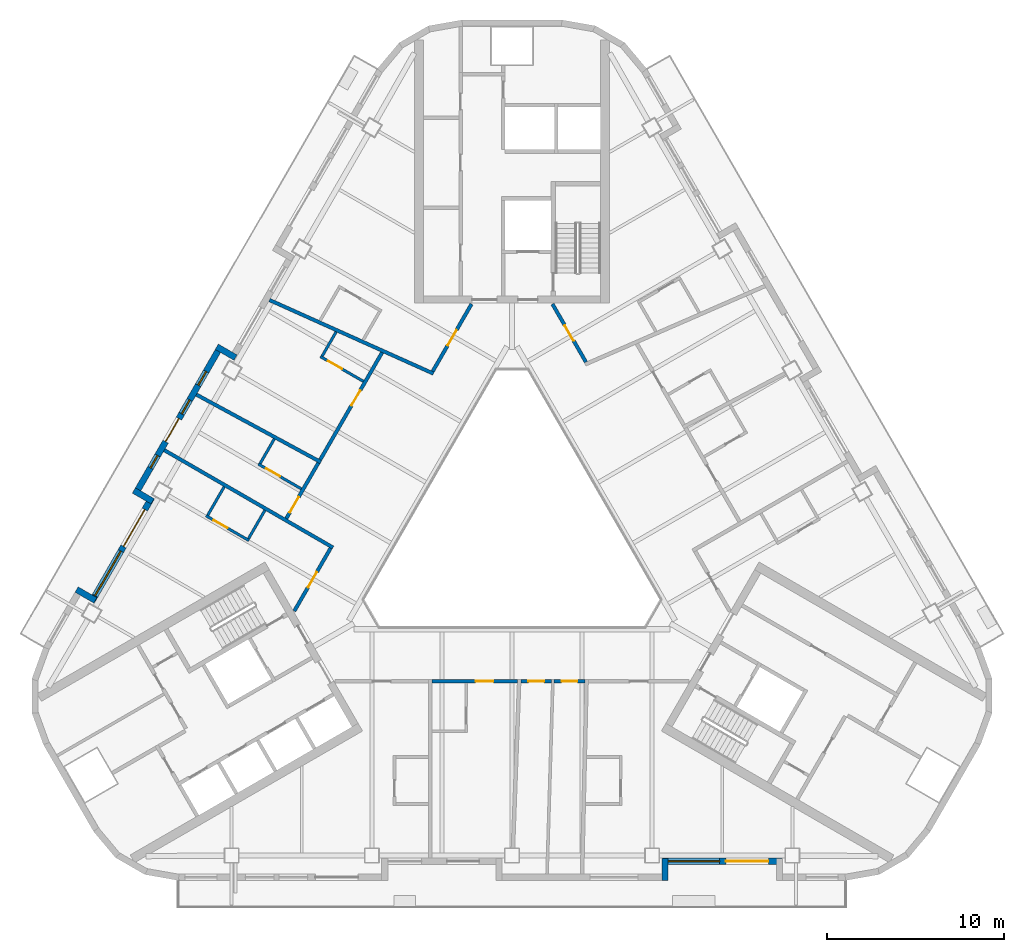
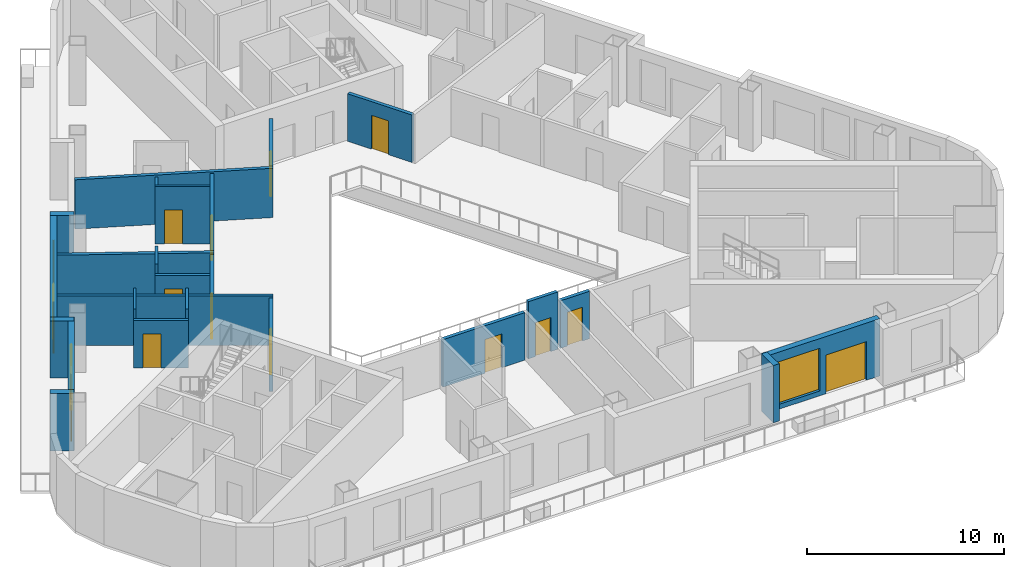
# One storey, part 4 of 14: 25 walls, 14 doors, 5 windows, 19 openings.
"""IFC4 building model written with IfcOpenShell, lengths in metres."""

from ifc_helpers import new_model, si_unit, direction, frame, frame_2d, origin, place, context, subcontext, project, spatial, rectangle, extrude, material, layer, layer_set, type_object, element, fill, save


model = new_model("IFC4")

# Units and contexts
model_context = context("Model", 3, precision=1e-05, world=origin(), true_north=direction((0.0, 1.0)))
body_context = subcontext(model_context, "Body", "Model", "MODEL_VIEW")
ifc_project = project(units=[si_unit("LENGTHUNIT", "METRE"), si_unit("AREAUNIT", "SQUARE_METRE"), si_unit("VOLUMEUNIT", "CUBIC_METRE"), si_unit("PLANEANGLEUNIT", "RADIAN"), si_unit("MASSUNIT", "GRAM", prefix="KILO")], contexts=[model_context])

# Site, building, storey
site_placement = place(None, origin())
site = spatial("IfcSite", under=ifc_project, at=site_placement, CompositionType="ELEMENT")
building_placement = place(site_placement, origin())
building = spatial("IfcBuilding", under=site, at=building_placement, Name="Apuvela Tower Hotel", CompositionType="ELEMENT")
storey_placement = place(building_placement, frame((0.0, 0.0, 157.699951171875)))
storey = spatial("IfcBuildingStorey", under=building, at=storey_placement, Name="L37", CompositionType="ELEMENT", Elevation=157.699951171875)

# Wall
ifc_material_1 = material(Name="Concrete C40/50, dark pigmented precast panel", Category="concrete")
ifc_layer_1 = layer(ifc_material_1, 0.35009765625)
ifc_layer_set_1 = layer_set([ifc_layer_1], Name="ENV-WALL-350")
wall_type_1 = type_object("IfcWallType", Name="ENV-WALL-350", PredefinedType="SOLIDWALL", material=ifc_layer_set_1)
wall_1_placement = place(storey_placement, frame((-15.580810546875, 9.8330078125, 0.0), z_axis=(0.0, 0.0, 1.0), x_axis=(-0.866055662726, 0.499947586314, 0.0)))
element("IfcWall", 1, at=wall_1_placement, inside=storey, type_object=wall_type_1, Name="External wall L37-04", PredefinedType="SOLIDWALL", context=body_context, shape_type="SweptSolid", body=[
    extrude(rectangle(XDim=1.220458984375, YDim=0.35009765625, at=frame_2d((0.6103515625, 0.0))), origin(), (0.0, 0.0, 1.0), 3.550048828125),
])

# Wall, openings, door, windows
wall_2_placement = place(storey_placement, frame((-16.3984375, 10.507080078125, 0.0), z_axis=(0.0, 0.0, 1.0), x_axis=(-0.499999142773, -0.866025898704, 0.0)))
wall_2 = element("IfcWall", 2, at=wall_2_placement, inside=storey, type_object=wall_type_1, Name="External wall L37-05", PredefinedType="SOLIDWALL", context=body_context, shape_type="SweptSolid", body=[
    extrude(rectangle(XDim=9.7001953125, YDim=0.35009765625, at=frame_2d((4.85009765625, 0.0))), origin(), (0.0, 0.0, 1.0), 3.550048828125),
])
opening_1_placement = place(wall_2_placement, frame((1.67529296875, 0.0, 0.300048828125)))
opening_1 = element("IfcOpeningElement", 3, at=opening_1_placement, cuts=wall_2, Name="Opening WN09", PredefinedType="OPENING", context=body_context, shape_type="SweptSolid", body=[
    extrude(rectangle(XDim=0.89990234375, YDim=2.64990234375, at=frame_2d((0.449951171875, 1.324951171875))), frame((0.0, 0.18505859375, 0.0), z_axis=(0.0, -1.0, 0.0), x_axis=(1.0, 0.0, 0.0)), (0.0, 0.0, 1.0), 0.3701171875),
])
opening_2_placement = place(wall_2_placement, frame((4.749755859375, 0.0, 0.0)))
opening_2 = element("IfcOpeningElement", 4, at=opening_2_placement, cuts=wall_2, Name="Opening BD15", PredefinedType="OPENING", context=body_context, shape_type="SweptSolid", body=[
    extrude(rectangle(XDim=1.5, YDim=2.39990234375, at=frame_2d((0.75, 1.199951171875))), frame((0.0, 0.18505859375, 0.0), z_axis=(0.0, -1.0, 0.0), x_axis=(1.0, 0.0, 0.0)), (0.0, 0.0, 1.0), 0.3701171875),
])
opening_3_placement = place(wall_2_placement, frame((3.53466796875, 0.0, 0.300048828125)))
opening_3 = element("IfcOpeningElement", 5, at=opening_3_placement, cuts=wall_2, Name="Opening WN09", PredefinedType="OPENING", context=body_context, shape_type="SweptSolid", body=[
    extrude(rectangle(XDim=0.89990234375, YDim=2.64990234375, at=frame_2d((0.449951171875, 1.324951171875))), frame((0.0, 0.18505859375, 0.0), z_axis=(0.0, -1.0, 0.0), x_axis=(1.0, 0.0, 0.0)), (0.0, 0.0, 1.0), 0.3701171875),
])
opening_4_placement = place(wall_2_placement, frame((7.14990234375, 0.0, 0.300048828125)))
opening_4 = element("IfcOpeningElement", 6, at=opening_4_placement, cuts=wall_2, Name="Opening WN08", PredefinedType="OPENING", context=body_context, shape_type="SweptSolid", body=[
    extrude(rectangle(XDim=0.800048828125, YDim=2.64990234375, at=frame_2d((0.39990234375, 1.324951171875))), frame((0.0, 0.18505859375, 0.0), z_axis=(0.0, -1.0, 0.0), x_axis=(1.0, 0.0, 0.0)), (0.0, 0.0, 1.0), 0.3701171875),
])
ifc_material_2 = material(Name="Aluminium 6063-T6, dark bronze anodised frame with dark tinted laminated glass", Category="aluminium")
door_type_1 = type_object("IfcDoorType", Name="ENV-DOOR-BALCONY-1500x2400", OperationType="SLIDING_TO_LEFT", PredefinedType="DOOR", material=ifc_material_2)
door_1_placement = place(opening_2_placement, frame((1.5, 0.0, 0.0), z_axis=(0.0, 0.0, 1.0), x_axis=(-1.0, 0.0, 0.0)))
door_1 = element("IfcDoor", 7, at=door_1_placement, inside=storey, type_object=door_type_1, Name="Balcony door BD15", OperationType="SLIDING_TO_LEFT", OverallHeight=2.39990234375, OverallWidth=1.5, PredefinedType="DOOR", context=body_context, shape_type="SweptSolid", body=[
    extrude(rectangle(XDim=1.5, YDim=2.39990234375, at=frame_2d((0.75, 1.199951171875))), frame((0.0, 0.02490234375, 0.0), z_axis=(0.0, -1.0, 0.0), x_axis=(1.0, 0.0, 0.0)), (0.0, 0.0, 1.0), 0.050048828125),
])
fill(opening_2, door_1)
ifc_material_3 = material(Name="Glass, dark tinted laminated insulated glazing unit", Category="glass")
window_type_1 = type_object("IfcWindowType", Name="ENV-WIN-800x2650", PartitioningType="SINGLE_PANEL", PredefinedType="WINDOW", material=ifc_material_3)
window_1_placement = place(opening_4_placement, origin())
window_1 = element("IfcWindow", 8, at=window_1_placement, inside=storey, type_object=window_type_1, Name="Window WN08", OverallHeight=2.64990234375, OverallWidth=0.800048828125, PartitioningType="SINGLE_PANEL", PredefinedType="WINDOW", context=body_context, shape_type="SweptSolid", body=[
    extrude(rectangle(XDim=0.800048828125, YDim=2.64990234375, at=frame_2d((0.39990234375, 1.324951171875))), frame((0.0, 0.030029296875, 0.0), z_axis=(0.0, -1.0, 0.0), x_axis=(1.0, 0.0, 0.0)), (0.0, 0.0, 1.0), 0.06005859375),
])
fill(opening_4, window_1)
window_type_2 = type_object("IfcWindowType", Name="ENV-WIN-900x2650", PartitioningType="SINGLE_PANEL", PredefinedType="WINDOW", material=ifc_material_3)
window_2_placement = place(opening_1_placement, origin())
window_2 = element("IfcWindow", 9, at=window_2_placement, inside=storey, type_object=window_type_2, Name="Window WN09", OverallHeight=2.64990234375, OverallWidth=0.89990234375, PartitioningType="SINGLE_PANEL", PredefinedType="WINDOW", context=body_context, shape_type="SweptSolid", body=[
    extrude(rectangle(XDim=0.89990234375, YDim=2.64990234375, at=frame_2d((0.449951171875, 1.324951171875))), frame((0.0, 0.030029296875, 0.0), z_axis=(0.0, -1.0, 0.0), x_axis=(1.0, 0.0, 0.0)), (0.0, 0.0, 1.0), 0.06005859375),
])
fill(opening_1, window_2)
window_3_placement = place(opening_3_placement, origin())
window_3 = element("IfcWindow", 10, at=window_3_placement, inside=storey, type_object=window_type_2, Name="Window WN09", OverallHeight=2.64990234375, OverallWidth=0.89990234375, PartitioningType="SINGLE_PANEL", PredefinedType="WINDOW", context=body_context, shape_type="SweptSolid", body=[
    extrude(rectangle(XDim=0.89990234375, YDim=2.64990234375, at=frame_2d((0.449951171875, 1.324951171875))), frame((0.0, 0.030029296875, 0.0), z_axis=(0.0, -1.0, 0.0), x_axis=(1.0, 0.0, 0.0)), (0.0, 0.0, 1.0), 0.06005859375),
])
fill(opening_3, window_3)

# Wall
wall_3_placement = place(storey_placement, frame((-21.3125, 2.345703125, 0.0), z_axis=(0.0, 0.0, 1.0), x_axis=(0.866005645448, -0.500034220881, 0.0)))
element("IfcWall", 11, at=wall_3_placement, inside=storey, type_object=wall_type_1, Name="External wall L37-06", PredefinedType="SOLIDWALL", context=body_context, shape_type="SweptSolid", body=[
    extrude(rectangle(XDim=1.22021484375, YDim=0.35009765625, at=frame_2d((0.610107421875, 0.0))), origin(), (0.0, 0.0, 1.0), 3.550048828125),
])

# Wall, openings, door, window
wall_4_placement = place(storey_placement, frame((-20.30908203125, 1.93359375, 0.0), z_axis=(0.0, 0.0, 1.0), x_axis=(-0.499992114976, -0.866029956157, 0.0)))
wall_4 = element("IfcWall", 12, at=wall_4_placement, inside=storey, type_object=wall_type_1, Name="External wall L37-07", PredefinedType="SOLIDWALL", context=body_context, shape_type="SweptSolid", body=[
    extrude(rectangle(XDim=6.73974609375, YDim=0.35009765625, at=frame_2d((3.369873046875, 0.0))), origin(), (0.0, 0.0, 1.0), 3.550048828125),
])
opening_5_placement = place(wall_4_placement, frame((0.77001953125, 0.0, 0.0)))
opening_5 = element("IfcOpeningElement", 13, at=opening_5_placement, cuts=wall_4, Name="Opening BD24", PredefinedType="OPENING", context=body_context, shape_type="SweptSolid", body=[
    extrude(rectangle(XDim=2.39990234375, YDim=2.39990234375, at=frame_2d((1.199951171875, 1.199951171875))), frame((0.0, 0.18505859375, 0.0), z_axis=(0.0, -1.0, 0.0), x_axis=(1.0, 0.0, 0.0)), (0.0, 0.0, 1.0), 0.3701171875),
])
opening_6_placement = place(wall_4_placement, frame((3.47021484375, 0.0, 0.300048828125)))
opening_6 = element("IfcOpeningElement", 14, at=opening_6_placement, cuts=wall_4, Name="Opening WN29", PredefinedType="OPENING", context=body_context, shape_type="SweptSolid", body=[
    extrude(rectangle(XDim=2.89990234375, YDim=2.64990234375, at=frame_2d((1.449951171875, 1.324951171875))), frame((0.0, 0.18505859375, 0.0), z_axis=(0.0, -1.0, 0.0), x_axis=(1.0, 0.0, 0.0)), (0.0, 0.0, 1.0), 0.3701171875),
])
door_type_2 = type_object("IfcDoorType", Name="ENV-DOOR-BALCONY-2400x2400", OperationType="SLIDING_TO_LEFT", PredefinedType="DOOR", material=ifc_material_2)
door_2_placement = place(opening_5_placement, frame((2.39990234375, 0.0, 0.0), z_axis=(0.0, 0.0, 1.0), x_axis=(-1.0, 0.0, 0.0)))
door_2 = element("IfcDoor", 15, at=door_2_placement, inside=storey, type_object=door_type_2, Name="Balcony door BD24", OperationType="SLIDING_TO_LEFT", OverallHeight=2.39990234375, OverallWidth=2.39990234375, PredefinedType="DOOR", context=body_context, shape_type="SweptSolid", body=[
    extrude(rectangle(XDim=2.39990234375, YDim=2.39990234375, at=frame_2d((1.199951171875, 1.199951171875))), frame((0.0, 0.02490234375, 0.0), z_axis=(0.0, -1.0, 0.0), x_axis=(1.0, 0.0, 0.0)), (0.0, 0.0, 1.0), 0.050048828125),
])
fill(opening_5, door_2)
window_type_3 = type_object("IfcWindowType", Name="ENV-WIN-2900x2650", PartitioningType="SINGLE_PANEL", PredefinedType="WINDOW", material=ifc_material_3)
window_4_placement = place(opening_6_placement, origin())
window_4 = element("IfcWindow", 16, at=window_4_placement, inside=storey, type_object=window_type_3, Name="Window WN29", OverallHeight=2.64990234375, OverallWidth=2.89990234375, PartitioningType="SINGLE_PANEL", PredefinedType="WINDOW", context=body_context, shape_type="SweptSolid", body=[
    extrude(rectangle(XDim=2.89990234375, YDim=2.64990234375, at=frame_2d((1.449951171875, 1.324951171875))), frame((0.0, 0.030029296875, 0.0), z_axis=(0.0, -1.0, 0.0), x_axis=(1.0, 0.0, 0.0)), (0.0, 0.0, 1.0), 0.06005859375),
])
fill(opening_6, window_4)

# Walls
for number, where, z_axis, x_axis, name in (
    (17, (-23.48095703125, -3.85009765625, 0.0), (0.0, 0.0, 1.0), (-0.866092288191, 0.499884134912, 0.0), "External wall L37-08"),
    (18, (8.625, -19.6298828125, 0.0), (0.0, 0.0, 1.0), (0.0, 1.0, 0.0), "External wall L37-22"),
):
    element("IfcWall", number, at=place(storey_placement, frame(where, z_axis=z_axis, x_axis=x_axis)), inside=storey, type_object=wall_type_1, Name=name, PredefinedType="SOLIDWALL", context=body_context, shape_type="SweptSolid", body=[
        extrude(rectangle(XDim=1.219970703125, YDim=0.35009765625, at=frame_2d((0.60986328125, 0.0))), origin(), (0.0, 0.0, 1.0), 3.550048828125),
    ])

# Wall, openings, door, window
wall_5_placement = place(storey_placement, frame((8.47998046875, -18.554931640625, 0.0), z_axis=(0.0, 0.0, 1.0), x_axis=(1.0, 0.0, 0.0)))
wall_5 = element("IfcWall", 19, at=wall_5_placement, inside=storey, type_object=wall_type_1, Name="External wall L37-23", PredefinedType="SOLIDWALL", context=body_context, shape_type="SweptSolid", body=[
    extrude(rectangle(XDim=6.739990234375, YDim=0.35009765625, at=frame_2d((3.3701171875, 0.0))), origin(), (0.0, 0.0, 1.0), 3.550048828125),
])
opening_7_placement = place(wall_5_placement, frame((3.570068359375, 0.0, 0.0)))
opening_7 = element("IfcOpeningElement", 20, at=opening_7_placement, cuts=wall_5, Name="Opening BD24", PredefinedType="OPENING", context=body_context, shape_type="SweptSolid", body=[
    extrude(rectangle(XDim=2.39990234375, YDim=2.39990234375, at=frame_2d((1.199951171875, 1.199951171875))), frame((0.0, 0.18505859375, 0.0), z_axis=(0.0, -1.0, 0.0), x_axis=(1.0, 0.0, 0.0)), (0.0, 0.0, 1.0), 0.3701171875),
])
opening_8_placement = place(wall_5_placement, frame((0.3203125, 0.0, 0.300048828125)))
opening_8 = element("IfcOpeningElement", 21, at=opening_8_placement, cuts=wall_5, Name="Opening WN29", PredefinedType="OPENING", context=body_context, shape_type="SweptSolid", body=[
    extrude(rectangle(XDim=2.89990234375, YDim=2.64990234375, at=frame_2d((1.449951171875, 1.324951171875))), frame((0.0, 0.18505859375, 0.0), z_axis=(0.0, -1.0, 0.0), x_axis=(1.0, 0.0, 0.0)), (0.0, 0.0, 1.0), 0.3701171875),
])
door_3_placement = place(opening_7_placement, frame((2.39990234375, 0.0, 0.0), z_axis=(0.0, 0.0, 1.0), x_axis=(-1.0, 0.0, 0.0)))
door_3 = element("IfcDoor", 22, at=door_3_placement, inside=storey, type_object=door_type_2, Name="Balcony door BD24", OperationType="SLIDING_TO_LEFT", OverallHeight=2.39990234375, OverallWidth=2.39990234375, PredefinedType="DOOR", context=body_context, shape_type="SweptSolid", body=[
    extrude(rectangle(XDim=2.39990234375, YDim=2.39990234375, at=frame_2d((1.199951171875, 1.199951171875))), frame((0.0, 0.02490234375, 0.0), z_axis=(0.0, -1.0, 0.0), x_axis=(1.0, 0.0, 0.0)), (0.0, 0.0, 1.0), 0.050048828125),
])
fill(opening_7, door_3)
window_5_placement = place(opening_8_placement, origin())
window_5 = element("IfcWindow", 23, at=window_5_placement, inside=storey, type_object=window_type_3, Name="Window WN29", OverallHeight=2.64990234375, OverallWidth=2.89990234375, PartitioningType="SINGLE_PANEL", PredefinedType="WINDOW", context=body_context, shape_type="SweptSolid", body=[
    extrude(rectangle(XDim=2.89990234375, YDim=2.64990234375, at=frame_2d((1.449951171875, 1.324951171875))), frame((0.0, 0.030029296875, 0.0), z_axis=(0.0, -1.0, 0.0), x_axis=(1.0, 0.0, 0.0)), (0.0, 0.0, 1.0), 0.06005859375),
])
fill(opening_8, window_5)

# Walls
ifc_material_4 = material(Name="Gypsum board partition on twin steel stud", Category="steel")
ifc_layer_2 = layer(ifc_material_4, 0.199951171875)
ifc_layer_set_2 = layer_set([ifc_layer_2], Name="GST-PW1")
wall_type_2 = type_object("IfcWallType", Name="GST-PW1", PredefinedType="PARTITIONING", material=ifc_layer_set_2)
wall_6_placement = place(storey_placement, frame((-13.671630859375, 13.080078125, 0.0), z_axis=(0.0, 0.0, 1.0), x_axis=(0.912311972773, -0.409495866077, 0.0)))
element("IfcWall", 24, at=wall_6_placement, inside=storey, type_object=wall_type_2, Name="L37 partition 07", PredefinedType="PARTITIONING", context=body_context, shape_type="SweptSolid", body=[
    extrude(rectangle(XDim=10.13232421875, YDim=0.199951171875, at=frame_2d((5.066162109375, 0.0))), origin(), (0.0, 0.0, 1.0), 3.06005859375),
])
wall_7_placement = place(storey_placement, frame((-17.78955078125, 7.747802734375, 0.0), z_axis=(0.0, 0.0, 1.0), x_axis=(0.878932558121, -0.476946074808, 0.0)))
element("IfcWall", 25, at=wall_7_placement, inside=storey, type_object=wall_type_2, Name="L37 partition 08", PredefinedType="PARTITIONING", context=body_context, shape_type="SweptSolid", body=[
    extrude(rectangle(XDim=7.98291015625, YDim=0.199951171875, at=frame_2d((3.991455078125, 0.0))), origin(), (0.0, 0.0, 1.0), 3.06005859375),
])
wall_8_placement = place(storey_placement, frame((-19.596923828125, 4.6171875, 0.0), z_axis=(0.0, 0.0, 1.0), x_axis=(0.866027479907, -0.499996404033, 0.0)))
element("IfcWall", 26, at=wall_8_placement, inside=storey, type_object=wall_type_2, Name="L37 partition 09", PredefinedType="PARTITIONING", context=body_context, shape_type="SweptSolid", body=[
    extrude(rectangle(XDim=10.97998046875, YDim=0.199951171875, at=frame_2d((5.489990234375, 0.0))), origin(), (0.0, 0.0, 1.0), 3.06005859375),
])

# Wall, opening, door
ifc_material_5 = material(Name="Gypsum board corridor wall on twin steel stud, acoustic", Category="steel")
ifc_layer_3 = layer(ifc_material_5, 0.199951171875)
ifc_layer_set_3 = layer_set([ifc_layer_3], Name="GST-PW2")
wall_type_3 = type_object("IfcWallType", Name="GST-PW2", PredefinedType="PARTITIONING", material=ifc_layer_set_3)
wall_9_placement = place(storey_placement, frame((0.3037109375, -8.39990234375, 0.0), z_axis=(0.0, 0.0, 1.0), x_axis=(-1.0, 0.0, 0.0)))
wall_9 = element("IfcWall", 27, at=wall_9_placement, inside=storey, type_object=wall_type_3, Name="L37 partition 14", PredefinedType="PARTITIONING", context=body_context, shape_type="SweptSolid", body=[
    extrude(rectangle(XDim=4.8037109375, YDim=0.199951171875, at=frame_2d((2.40185546875, 0.0))), origin(), (0.0, 0.0, 1.0), 2.949951171875),
])
opening_9_placement = place(wall_9_placement, frame((1.353515625, 0.0, 0.0)))
opening_9 = element("IfcOpeningElement", 28, at=opening_9_placement, cuts=wall_9, Name="Opening GD13-04", PredefinedType="OPENING", context=body_context, shape_type="SweptSolid", body=[
    extrude(rectangle(XDim=1.0, YDim=2.10009765625, at=frame_2d((0.5, 1.050048828125))), frame((0.0, 0.10986328125, 0.0), z_axis=(0.0, -1.0, 0.0), x_axis=(1.0, 0.0, 0.0)), (0.0, 0.0, 1.0), 0.219970703125),
])
ifc_material_6 = material(Name="Timber door leaf in steel frame", Category="steel")
door_type_3 = type_object("IfcDoorType", Name="GST-D1", OperationType="NOTDEFINED", PredefinedType="DOOR", material=ifc_material_6)
door_4_placement = place(opening_9_placement, origin())
door_4 = element("IfcDoor", 29, at=door_4_placement, inside=storey, type_object=door_type_3, Name="Door L37-04", OperationType="SINGLE_SWING_LEFT", OverallHeight=2.10009765625, OverallWidth=1.0, PredefinedType="DOOR", context=body_context, shape_type="SweptSolid", body=[
    extrude(rectangle(XDim=1.0, YDim=2.10009765625, at=frame_2d((0.5, 1.050048828125))), frame((0.0, 0.02490234375, 0.0), z_axis=(0.0, -1.0, 0.0), x_axis=(1.0, 0.0, 0.0)), (0.0, 0.0, 1.0), 0.050048828125),
])
fill(opening_9, door_4)

wall_10_placement = place(storey_placement, frame((2.22802734375, -8.39990234375, 0.0), z_axis=(0.0, 0.0, 1.0), x_axis=(-1.0, 0.0, 0.0)))
wall_10 = element("IfcWall", 30, at=wall_10_placement, inside=storey, type_object=wall_type_3, Name="L37 partition 18", PredefinedType="PARTITIONING", context=body_context, shape_type="SweptSolid", body=[
    extrude(rectangle(XDim=1.72412109375, YDim=0.199951171875, at=frame_2d((0.862060546875, 0.0))), origin(), (0.0, 0.0, 1.0), 3.550048828125),
])
opening_10_placement = place(wall_10_placement, frame((0.412109375, 0.0, 0.0)))
opening_10 = element("IfcOpeningElement", 31, at=opening_10_placement, cuts=wall_10, Name="Opening GD13-05", PredefinedType="OPENING", context=body_context, shape_type="SweptSolid", body=[
    extrude(rectangle(XDim=0.89990234375, YDim=2.10009765625, at=frame_2d((0.449951171875, 1.050048828125))), frame((0.0, 0.10986328125, 0.0), z_axis=(0.0, -1.0, 0.0), x_axis=(1.0, 0.0, 0.0)), (0.0, 0.0, 1.0), 0.219970703125),
])
door_type_4 = type_object("IfcDoorType", Name="GST-D2", OperationType="NOTDEFINED", PredefinedType="DOOR", material=ifc_material_6)
door_5_placement = place(opening_10_placement, origin())
door_5 = element("IfcDoor", 32, at=door_5_placement, inside=storey, type_object=door_type_4, Name="Door L37-05", OperationType="SINGLE_SWING_LEFT", OverallHeight=2.10009765625, OverallWidth=0.89990234375, PredefinedType="DOOR", context=body_context, shape_type="SweptSolid", body=[
    extrude(rectangle(XDim=0.89990234375, YDim=2.10009765625, at=frame_2d((0.449951171875, 1.050048828125))), frame((0.0, 0.02490234375, 0.0), z_axis=(0.0, -1.0, 0.0), x_axis=(1.0, 0.0, 0.0)), (0.0, 0.0, 1.0), 0.050048828125),
])
fill(opening_10, door_5)

wall_11_placement = place(storey_placement, frame((4.102294921875, -8.39990234375, 0.0), z_axis=(0.0, 0.0, 1.0), x_axis=(-1.0, 0.0, 0.0)))
wall_11 = element("IfcWall", 33, at=wall_11_placement, inside=storey, type_object=wall_type_3, Name="L37 partition 19", PredefinedType="PARTITIONING", context=body_context, shape_type="SweptSolid", body=[
    extrude(rectangle(XDim=1.724365234375, YDim=0.199951171875, at=frame_2d((0.8623046875, 0.0))), origin(), (0.0, 0.0, 1.0), 2.949951171875),
])
opening_11_placement = place(wall_11_placement, frame((0.412109375, 0.0, 0.0)))
opening_11 = element("IfcOpeningElement", 34, at=opening_11_placement, cuts=wall_11, Name="Opening GD13-06", PredefinedType="OPENING", context=body_context, shape_type="SweptSolid", body=[
    extrude(rectangle(XDim=0.89990234375, YDim=2.10009765625, at=frame_2d((0.449951171875, 1.050048828125))), frame((0.0, 0.10986328125, 0.0), z_axis=(0.0, -1.0, 0.0), x_axis=(1.0, 0.0, 0.0)), (0.0, 0.0, 1.0), 0.219970703125),
])
door_6_placement = place(opening_11_placement, origin())
door_6 = element("IfcDoor", 35, at=door_6_placement, inside=storey, type_object=door_type_4, Name="Door L37-06", OperationType="SINGLE_SWING_RIGHT", OverallHeight=2.10009765625, OverallWidth=0.89990234375, PredefinedType="DOOR", context=body_context, shape_type="SweptSolid", body=[
    extrude(rectangle(XDim=0.89990234375, YDim=2.10009765625, at=frame_2d((0.449951171875, 1.050048828125))), frame((0.0, 0.02490234375, 0.0), z_axis=(0.0, -1.0, 0.0), x_axis=(1.0, 0.0, 0.0)), (0.0, 0.0, 1.0), 0.050048828125),
])
fill(opening_11, door_6)

wall_12_placement = place(storey_placement, frame((2.280517578125, 12.85009765625, 0.0), z_axis=(0.0, 0.0, 1.0), x_axis=(0.499991068497, -0.866030560329, 0.0)))
wall_12 = element("IfcWall", 36, at=wall_12_placement, inside=storey, type_object=wall_type_3, Name="L37 partition 34", PredefinedType="PARTITIONING", context=body_context, shape_type="SweptSolid", body=[
    extrude(rectangle(XDim=3.7763671875, YDim=0.199951171875, at=frame_2d((1.88818359375, 0.0))), origin(), (0.0, 0.0, 1.0), 2.949951171875),
])
opening_12_placement = place(wall_12_placement, frame((1.38818359375, 0.0, 0.0)))
opening_12 = element("IfcOpeningElement", 37, at=opening_12_placement, cuts=wall_12, Name="Opening GD13-16", PredefinedType="OPENING", context=body_context, shape_type="SweptSolid", body=[
    extrude(rectangle(XDim=1.0, YDim=2.10009765625, at=frame_2d((0.5, 1.050048828125))), frame((0.0, 0.10986328125, 0.0), z_axis=(0.0, -1.0, 0.0), x_axis=(1.0, 0.0, 0.0)), (0.0, 0.0, 1.0), 0.219970703125),
])
door_7_placement = place(opening_12_placement, origin())
door_7 = element("IfcDoor", 38, at=door_7_placement, inside=storey, type_object=door_type_3, Name="Door L37-16", OperationType="SINGLE_SWING_RIGHT", OverallHeight=2.10009765625, OverallWidth=1.0, PredefinedType="DOOR", context=body_context, shape_type="SweptSolid", body=[
    extrude(rectangle(XDim=1.0, YDim=2.10009765625, at=frame_2d((0.5, 1.050048828125))), frame((0.0, 0.02490234375, 0.0), z_axis=(0.0, -1.0, 0.0), x_axis=(1.0, 0.0, 0.0)), (0.0, 0.0, 1.0), 0.050048828125),
])
fill(opening_12, door_7)

wall_13_placement = place(storey_placement, frame((-4.46923828125, 9.05908203125, 0.0), z_axis=(0.0, 0.0, 1.0), x_axis=(0.499996027077, 0.86602769754, 0.0)))
wall_13 = element("IfcWall", 39, at=wall_13_placement, inside=storey, type_object=wall_type_3, Name="L37 partition 38", PredefinedType="PARTITIONING", context=body_context, shape_type="SweptSolid", body=[
    extrude(rectangle(XDim=4.37744140625, YDim=0.199951171875, at=frame_2d((2.188720703125, 0.0))), origin(), (0.0, 0.0, 1.0), 2.949951171875),
])
opening_13_placement = place(wall_13_placement, frame((1.688720703125, 0.0, 0.0)))
opening_13 = element("IfcOpeningElement", 40, at=opening_13_placement, cuts=wall_13, Name="Opening GD13-18", PredefinedType="OPENING", context=body_context, shape_type="SweptSolid", body=[
    extrude(rectangle(XDim=1.0, YDim=2.10009765625, at=frame_2d((0.5, 1.050048828125))), frame((0.0, 0.10986328125, 0.0), z_axis=(0.0, -1.0, 0.0), x_axis=(1.0, 0.0, 0.0)), (0.0, 0.0, 1.0), 0.219970703125),
])
door_8_placement = place(opening_13_placement, origin())
door_8 = element("IfcDoor", 41, at=door_8_placement, inside=storey, type_object=door_type_3, Name="Door L37-18", OperationType="SINGLE_SWING_LEFT", OverallHeight=2.10009765625, OverallWidth=1.0, PredefinedType="DOOR", context=body_context, shape_type="SweptSolid", body=[
    extrude(rectangle(XDim=1.0, YDim=2.10009765625, at=frame_2d((0.5, 1.050048828125))), frame((0.0, 0.02490234375, 0.0), z_axis=(0.0, -1.0, 0.0), x_axis=(1.0, 0.0, 0.0)), (0.0, 0.0, 1.0), 0.050048828125),
])
fill(opening_13, door_8)

wall_14_placement = place(storey_placement, frame((-10.81103515625, 4.07470703125, 0.0), z_axis=(0.0, 0.0, 1.0), x_axis=(0.500006032813, 0.86602192071, 0.0)))
wall_14 = element("IfcWall", 42, at=wall_14_placement, inside=storey, type_object=wall_type_3, Name="L37 partition 42", PredefinedType="PARTITIONING", context=body_context, shape_type="SweptSolid", body=[
    extrude(rectangle(XDim=6.98046875, YDim=0.199951171875, at=frame_2d((3.490234375, 0.0))), origin(), (0.0, 0.0, 1.0), 2.949951171875),
])
opening_14_placement = place(wall_14_placement, frame((3.52001953125, 0.0, 0.0)))
opening_14 = element("IfcOpeningElement", 43, at=opening_14_placement, cuts=wall_14, Name="Opening GD13-20", PredefinedType="OPENING", context=body_context, shape_type="SweptSolid", body=[
    extrude(rectangle(XDim=1.0, YDim=2.10009765625, at=frame_2d((0.5, 1.050048828125))), frame((0.0, 0.10986328125, 0.0), z_axis=(0.0, -1.0, 0.0), x_axis=(1.0, 0.0, 0.0)), (0.0, 0.0, 1.0), 0.219970703125),
])
door_9_placement = place(opening_14_placement, origin())
door_9 = element("IfcDoor", 44, at=door_9_placement, inside=storey, type_object=door_type_3, Name="Door L37-20", OperationType="SINGLE_SWING_LEFT", OverallHeight=2.10009765625, OverallWidth=1.0, PredefinedType="DOOR", context=body_context, shape_type="SweptSolid", body=[
    extrude(rectangle(XDim=1.0, YDim=2.10009765625, at=frame_2d((0.5, 1.050048828125))), frame((0.0, 0.02490234375, 0.0), z_axis=(0.0, -1.0, 0.0), x_axis=(1.0, 0.0, 0.0)), (0.0, 0.0, 1.0), 0.050048828125),
])
fill(opening_14, door_9)

wall_15_placement = place(storey_placement, frame((-12.72265625, 0.763671875, 0.0), z_axis=(0.0, 0.0, 1.0), x_axis=(0.500016018658, 0.86601615521, 0.0)))
wall_15 = element("IfcWall", 45, at=wall_15_placement, inside=storey, type_object=wall_type_3, Name="L37 partition 45", PredefinedType="PARTITIONING", context=body_context, shape_type="SweptSolid", body=[
    extrude(rectangle(XDim=3.62353515625, YDim=0.199951171875, at=frame_2d((1.811767578125, 0.0))), origin(), (0.0, 0.0, 1.0), 2.949951171875),
])
opening_15_placement = place(wall_15_placement, frame((0.39990234375, 0.0, 0.0)))
opening_15 = element("IfcOpeningElement", 46, at=opening_15_placement, cuts=wall_15, Name="Opening GD13-22", PredefinedType="OPENING", context=body_context, shape_type="SweptSolid", body=[
    extrude(rectangle(XDim=1.0, YDim=2.10009765625, at=frame_2d((0.5, 1.050048828125))), frame((0.0, 0.10986328125, 0.0), z_axis=(0.0, -1.0, 0.0), x_axis=(1.0, 0.0, 0.0)), (0.0, 0.0, 1.0), 0.219970703125),
])
door_10_placement = place(opening_15_placement, origin())
door_10 = element("IfcDoor", 47, at=door_10_placement, inside=storey, type_object=door_type_3, Name="Door L37-22", OperationType="SINGLE_SWING_LEFT", OverallHeight=2.10009765625, OverallWidth=1.0, PredefinedType="DOOR", context=body_context, shape_type="SweptSolid", body=[
    extrude(rectangle(XDim=1.0, YDim=2.10009765625, at=frame_2d((0.5, 1.050048828125))), frame((0.0, 0.02490234375, 0.0), z_axis=(0.0, -1.0, 0.0), x_axis=(1.0, 0.0, 0.0)), (0.0, 0.0, 1.0), 0.050048828125),
])
fill(opening_15, door_10)

wall_16_placement = place(storey_placement, frame((-12.268798828125, -4.449951171875, 0.0), z_axis=(0.0, 0.0, 1.0), x_axis=(0.500011931275, 0.86601851515, 0.0)))
wall_16 = element("IfcWall", 48, at=wall_16_placement, inside=storey, type_object=wall_type_3, Name="L37 partition 48", PredefinedType="PARTITIONING", context=body_context, shape_type="SweptSolid", body=[
    extrude(rectangle(XDim=4.08837890625, YDim=0.199951171875, at=frame_2d((2.044189453125, 0.0))), origin(), (0.0, 0.0, 1.0), 2.949951171875),
])
opening_16_placement = place(wall_16_placement, frame((1.544189453125, 0.0, 0.0)))
opening_16 = element("IfcOpeningElement", 49, at=opening_16_placement, cuts=wall_16, Name="Opening GD13-24", PredefinedType="OPENING", context=body_context, shape_type="SweptSolid", body=[
    extrude(rectangle(XDim=1.0, YDim=2.10009765625, at=frame_2d((0.5, 1.050048828125))), frame((0.0, 0.10986328125, 0.0), z_axis=(0.0, -1.0, 0.0), x_axis=(1.0, 0.0, 0.0)), (0.0, 0.0, 1.0), 0.219970703125),
])
door_11_placement = place(opening_16_placement, origin())
door_11 = element("IfcDoor", 50, at=door_11_placement, inside=storey, type_object=door_type_3, Name="Door L37-24", OperationType="SINGLE_SWING_RIGHT", OverallHeight=2.10009765625, OverallWidth=1.0, PredefinedType="DOOR", context=body_context, shape_type="SweptSolid", body=[
    extrude(rectangle(XDim=1.0, YDim=2.10009765625, at=frame_2d((0.5, 1.050048828125))), frame((0.0, 0.02490234375, 0.0), z_axis=(0.0, -1.0, 0.0), x_axis=(1.0, 0.0, 0.0)), (0.0, 0.0, 1.0), 0.050048828125),
])
fill(opening_16, door_11)

ifc_material_7 = material(Name="Moisture-resistant gypsum board wet wall on steel stud", Category="steel")
ifc_layer_4 = layer(ifc_material_7, 0.14990234375)
ifc_layer_set_4 = layer_set([ifc_layer_4], Name="GST-PW3")
wall_type_4 = type_object("IfcWallType", Name="GST-PW3", PredefinedType="PARTITIONING", material=ifc_layer_set_4)
wall_17_placement = place(storey_placement, frame((-10.800048828125, 9.893798828125, 0.0), z_axis=(0.0, 0.0, 1.0), x_axis=(0.866056369097, -0.49994636267, 0.0)))
wall_17 = element("IfcWall", 51, at=wall_17_placement, inside=storey, type_object=wall_type_4, Name="L37 partition 43", PredefinedType="PARTITIONING", context=body_context, shape_type="SweptSolid", body=[
    extrude(rectangle(XDim=2.800048828125, YDim=0.14990234375, at=frame_2d((1.39990234375, 0.0))), origin(), (0.0, 0.0, 1.0), 3.550048828125),
])
opening_17_placement = place(wall_17_placement, frame((0.5, 0.0, 0.0)))
opening_17 = element("IfcOpeningElement", 52, at=opening_17_placement, cuts=wall_17, Name="Opening GD13-19", PredefinedType="OPENING", context=body_context, shape_type="SweptSolid", body=[
    extrude(rectangle(XDim=0.89990234375, YDim=2.10009765625, at=frame_2d((0.449951171875, 1.050048828125))), frame((0.0, 0.0849609375, 0.0), z_axis=(0.0, -1.0, 0.0), x_axis=(1.0, 0.0, 0.0)), (0.0, 0.0, 1.0), 0.169921875),
])
door_12_placement = place(opening_17_placement, origin())
door_12 = element("IfcDoor", 53, at=door_12_placement, inside=storey, type_object=door_type_4, Name="Door L37-19", OperationType="SINGLE_SWING_LEFT", OverallHeight=2.10009765625, OverallWidth=0.89990234375, PredefinedType="DOOR", context=body_context, shape_type="SweptSolid", body=[
    extrude(rectangle(XDim=0.89990234375, YDim=2.10009765625, at=frame_2d((0.449951171875, 1.050048828125))), frame((0.0, 0.02490234375, 0.0), z_axis=(0.0, -1.0, 0.0), x_axis=(1.0, 0.0, 0.0)), (0.0, 0.0, 1.0), 0.050048828125),
])
fill(opening_17, door_12)

# Wall
wall_18_placement = place(storey_placement, frame((-9.91162109375, 11.28271484375, 0.0), z_axis=(0.0, 0.0, 1.0), x_axis=(-0.499964459118, -0.86604592235, 0.0)))
element("IfcWall", 54, at=wall_18_placement, inside=storey, type_object=wall_type_4, Name="L37 partition 44", PredefinedType="PARTITIONING", context=body_context, shape_type="SweptSolid", body=[
    extrude(rectangle(XDim=1.57177734375, YDim=0.14990234375, at=frame_2d((0.785888671875, 0.0))), origin(), (0.0, 0.0, 1.0), 2.949951171875),
])

# Wall, opening, door
wall_19_placement = place(storey_placement, frame((-14.298095703125, 3.835205078125, 0.0), z_axis=(0.0, 0.0, 1.0), x_axis=(0.866056369097, -0.49994636267, 0.0)))
wall_19 = element("IfcWall", 55, at=wall_19_placement, inside=storey, type_object=wall_type_4, Name="L37 partition 46", PredefinedType="PARTITIONING", context=body_context, shape_type="SweptSolid", body=[
    extrude(rectangle(XDim=2.800048828125, YDim=0.14990234375, at=frame_2d((1.39990234375, 0.0))), origin(), (0.0, 0.0, 1.0), 2.949951171875),
])
opening_18_placement = place(wall_19_placement, frame((0.5, 0.0, 0.0)))
opening_18 = element("IfcOpeningElement", 56, at=opening_18_placement, cuts=wall_19, Name="Opening GD13-21", PredefinedType="OPENING", context=body_context, shape_type="SweptSolid", body=[
    extrude(rectangle(XDim=0.89990234375, YDim=2.10009765625, at=frame_2d((0.449951171875, 1.050048828125))), frame((0.0, 0.0849609375, 0.0), z_axis=(0.0, -1.0, 0.0), x_axis=(1.0, 0.0, 0.0)), (0.0, 0.0, 1.0), 0.169921875),
])
door_13_placement = place(opening_18_placement, origin())
door_13 = element("IfcDoor", 57, at=door_13_placement, inside=storey, type_object=door_type_4, Name="Door L37-21", OperationType="SINGLE_SWING_LEFT", OverallHeight=2.10009765625, OverallWidth=0.89990234375, PredefinedType="DOOR", context=body_context, shape_type="SweptSolid", body=[
    extrude(rectangle(XDim=0.89990234375, YDim=2.10009765625, at=frame_2d((0.449951171875, 1.050048828125))), frame((0.0, 0.02490234375, 0.0), z_axis=(0.0, -1.0, 0.0), x_axis=(1.0, 0.0, 0.0)), (0.0, 0.0, 1.0), 0.050048828125),
])
fill(opening_18, door_13)

# Wall
wall_20_placement = place(storey_placement, frame((-13.39501953125, 5.249267578125, 0.0), z_axis=(0.0, 0.0, 1.0), x_axis=(-0.499960029081, -0.866048479775, 0.0)))
element("IfcWall", 58, at=wall_20_placement, inside=storey, type_object=wall_type_4, Name="L37 partition 47", PredefinedType="PARTITIONING", context=body_context, shape_type="SweptSolid", body=[
    extrude(rectangle(XDim=1.601318359375, YDim=0.14990234375, at=frame_2d((0.80078125, 0.0))), origin(), (0.0, 0.0, 1.0), 3.550048828125),
])

# Wall, opening, door
wall_21_placement = place(storey_placement, frame((-17.249267578125, 0.92333984375, 0.0), z_axis=(0.0, 0.0, 1.0), x_axis=(0.866034573852, -0.49998411664, 0.0)))
wall_21 = element("IfcWall", 59, at=wall_21_placement, inside=storey, type_object=wall_type_4, Name="L37 partition 49", PredefinedType="PARTITIONING", context=body_context, shape_type="SweptSolid", body=[
    extrude(rectangle(XDim=2.7998046875, YDim=0.14990234375, at=frame_2d((1.39990234375, 0.0))), origin(), (0.0, 0.0, 1.0), 2.949951171875),
])
opening_19_placement = place(wall_21_placement, frame((0.5, 0.0, 0.0)))
opening_19 = element("IfcOpeningElement", 60, at=opening_19_placement, cuts=wall_21, Name="Opening GD13-23", PredefinedType="OPENING", context=body_context, shape_type="SweptSolid", body=[
    extrude(rectangle(XDim=0.89990234375, YDim=2.10009765625, at=frame_2d((0.449951171875, 1.050048828125))), frame((0.0, 0.0849609375, 0.0), z_axis=(0.0, -1.0, 0.0), x_axis=(1.0, 0.0, 0.0)), (0.0, 0.0, 1.0), 0.169921875),
])
door_14_placement = place(opening_19_placement, origin())
door_14 = element("IfcDoor", 61, at=door_14_placement, inside=storey, type_object=door_type_4, Name="Door L37-23", OperationType="SINGLE_SWING_LEFT", OverallHeight=2.10009765625, OverallWidth=0.89990234375, PredefinedType="DOOR", context=body_context, shape_type="SweptSolid", body=[
    extrude(rectangle(XDim=0.89990234375, YDim=2.10009765625, at=frame_2d((0.449951171875, 1.050048828125))), frame((0.0, 0.02490234375, 0.0), z_axis=(0.0, -1.0, 0.0), x_axis=(1.0, 0.0, 0.0)), (0.0, 0.0, 1.0), 0.050048828125),
])
fill(opening_19, door_14)

# Walls
for number, where, z_axis, x_axis, name in (
    (62, (-16.2216796875, 2.552978515625, 0.0), (0.0, 0.0, 1.0), (-0.499985172903, -0.866033964044, 0.0), "L37 partition 50"),
    (63, (-13.927001953125, 1.22802734375, 0.0), (0.0, 0.0, 1.0), (-0.499886193382, -0.866091100096, 0.0), "L37 partition 51"),
):
    element("IfcWall", number, at=place(storey_placement, frame(where, z_axis=z_axis, x_axis=x_axis)), inside=storey, type_object=wall_type_4, Name=name, PredefinedType="PARTITIONING", context=body_context, shape_type="SweptSolid", body=[
        extrude(rectangle(XDim=1.85009765625, YDim=0.14990234375, at=frame_2d((0.925048828125, 0.0))), origin(), (0.0, 0.0, 1.0), 3.550048828125),
    ])

save(model, "model.ifc")
